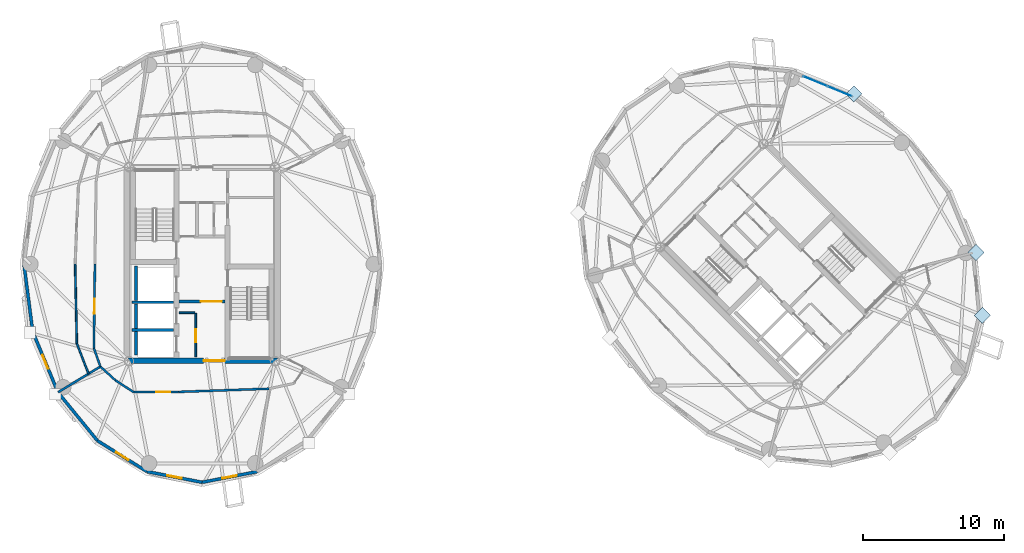
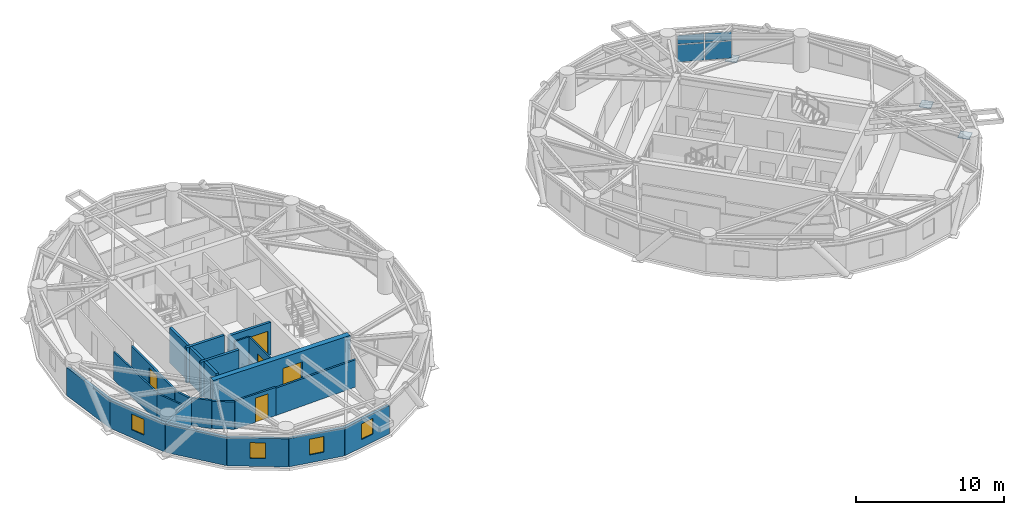
# One storey, part 8 of 16: 24 walls, 7 plates, 5 doors, 4 windows, 9 openings, 1 element without a shape of its own.
"""IFC4 building model written with IfcOpenShell, lengths in metres."""

import ifcopenshell
import ifcopenshell.guid

model = None  # the IFC model being written
_history = None  # IfcOwnerHistory: only IFC2X3 demands one
_inside = {}  # id of a spatial element -> (the spatial element, [elements in it])
_under = {}  # id of a project, library or spatial element -> (it, [spatial elements below it])
_declared = {}  # id of a project -> (the project, [libraries it declares])
_typed = {}  # id of a type object -> (the type object, [elements of that type])
_made_of = {}  # id of a material, layer set ... -> (it, [elements and type objects made of it])


def new_model(schema):
    """Start an empty IFC model of exactly this schema.

    Asked for "IFC4X3", IfcOpenShell would pick the latest addendum, in which some entities
    have other attributes; the version numbers below select the first issue.
    IFC2X3 requires an IfcOwnerHistory on every rooted entity: one is made here for all.
    """
    global model, _history
    if schema == "IFC4X3":
        model = ifcopenshell.file(schema_version=(4, 3, 0, 0))
    else:
        model = ifcopenshell.file(schema=schema)
    _inside.clear()
    _under.clear()
    _declared.clear()
    _typed.clear()
    _made_of.clear()
    _history = None
    if model.schema == "IFC2X3":
        org = make("IfcOrganization", Name="unknown")
        user = make(
            "IfcPersonAndOrganization",
            ThePerson=make("IfcPerson", FamilyName="unknown"),
            TheOrganization=org,
        )
        app = make(
            "IfcApplication",
            ApplicationDeveloper=org,
            Version="unknown",
            ApplicationFullName="unknown",
            ApplicationIdentifier="unknown",
        )
        _history = make(
            "IfcOwnerHistory",
            OwningUser=user,
            OwningApplication=app,
            ChangeAction="ADDED",
            CreationDate=0,
        )
    return model


def make(cls, **values):
    """One entity of the class cls with the attributes given. An attribute that is None is left unset."""
    return model.create_entity(
        cls, **{name: value for name, value in values.items() if value is not None}
    )


def rooted(cls, **values):
    """An entity with a GlobalId (a new one), such as an element, a storey or a relation."""
    return make(cls, GlobalId=ifcopenshell.guid.new(), OwnerHistory=_history, **values)


def si_unit(unit_type, name, prefix=None):
    """IfcSIUnit, for example si_unit("LENGTHUNIT", "METRE", prefix="MILLI")."""
    return make("IfcSIUnit", UnitType=unit_type, Prefix=prefix, Name=name)


def assignment(units):
    """IfcUnitAssignment: the units of a project."""
    return None if units is None else make("IfcUnitAssignment", Units=units)


def point(xyz):
    """IfcCartesianPoint."""
    return None if xyz is None else make("IfcCartesianPoint", Coordinates=xyz)


def direction(xyz):
    """IfcDirection."""
    return None if xyz is None else make("IfcDirection", DirectionRatios=xyz)


def frame(location, z_axis=None, x_axis=None):
    """IfcAxis2Placement3D, a coordinate frame: its origin and axes. An axis left out is left unset."""
    return make(
        "IfcAxis2Placement3D",
        Location=point(location),
        Axis=direction(z_axis),
        RefDirection=direction(x_axis),
    )


def frame_2d(location, x_axis=None):
    """IfcAxis2Placement2D, a coordinate frame in the plane: its origin and x axis."""
    return make(
        "IfcAxis2Placement2D", Location=point(location), RefDirection=direction(x_axis)
    )


def origin():
    """The frame at (0, 0, 0) with its axes left unset."""
    return frame((0.0, 0.0, 0.0))


def origin_2d():
    """The frame at (0, 0) in the plane with its x axis left unset."""
    return frame_2d((0.0, 0.0))


def place(relative_to, where):
    """IfcLocalPlacement: puts the frame where relative to a parent placement (None: the world)."""
    return make(
        "IfcLocalPlacement", PlacementRelTo=relative_to, RelativePlacement=where
    )


def context(
    kind, dimensions, precision=None, world=None, true_north=None, identifier=None
):
    """IfcGeometricRepresentationContext, for example the 3D "Model" context."""
    return make(
        "IfcGeometricRepresentationContext",
        ContextIdentifier=identifier,
        ContextType=kind,
        CoordinateSpaceDimension=dimensions,
        Precision=precision,
        WorldCoordinateSystem=world,
        TrueNorth=true_north,
    )


def subcontext(parent, identifier, kind, view, scale=None):
    """IfcGeometricRepresentationSubContext, for example "Body" below "Model"."""
    return make(
        "IfcGeometricRepresentationSubContext",
        ContextIdentifier=identifier,
        ContextType=kind,
        ParentContext=parent,
        TargetScale=scale,
        TargetView=view,
    )


def project(units=None, contexts=None):
    """IfcProject with its units and contexts."""
    return rooted(
        "IfcProject",
        Name="project",
        RepresentationContexts=contexts,
        UnitsInContext=assignment(units),
    )


def spatial(cls, under=None, at=None, **own):
    """A site, building, storey or space (cls), placed at a placement, below another one or the project."""
    s = rooted(cls, ObjectPlacement=at, **own)
    if under is not None:
        _under.setdefault(under.id(), (under, []))[1].append(s)
    return s


def profile(cls, at=None, kind="AREA", **sizes):
    """A parametric profile (cls). Its sizes go by their IFC names, for example OverallWidth=200.0."""
    return make(cls, ProfileType=kind, Position=at, **sizes)


def rectangle(**sizes):
    """IfcRectangleProfileDef."""
    return profile("IfcRectangleProfileDef", **sizes)


def extrude(swept, where, along, depth):
    """IfcExtrudedAreaSolid: the profile swept, set in the frame where, extruded along a direction by depth."""
    return make(
        "IfcExtrudedAreaSolid",
        SweptArea=swept,
        Position=where,
        ExtrudedDirection=direction(along),
        Depth=depth,
    )


def shape(context_of_items, identifier, shape_type, items):
    """IfcShapeRepresentation: the items that make up one representation, for example the "Body"."""
    return make(
        "IfcShapeRepresentation",
        ContextOfItems=context_of_items,
        RepresentationIdentifier=identifier,
        RepresentationType=shape_type,
        Items=items,
    )


def source(mapping_origin, context_of_items, identifier, shape_type, items):
    """IfcRepresentationMap: a shape defined once, which mapped items show again and again."""
    return make(
        "IfcRepresentationMap",
        MappingOrigin=mapping_origin,
        MappedRepresentation=shape(context_of_items, identifier, shape_type, items),
    )


def transform(
    local_origin,
    x_axis=None,
    y_axis=None,
    z_axis=None,
    scale=None,
    scale2=None,
    scale3=None,
    uniform=True,
):
    """IfcCartesianTransformationOperator3D, or its non-uniform kind. x_axis, y_axis, z_axis: its Axis1, 2, 3."""
    if uniform:
        return make(
            "IfcCartesianTransformationOperator3D",
            Axis1=direction(x_axis),
            Axis2=direction(y_axis),
            LocalOrigin=point(local_origin),
            Scale=scale,
            Axis3=direction(z_axis),
        )
    return make(
        "IfcCartesianTransformationOperator3DnonUniform",
        Axis1=direction(x_axis),
        Axis2=direction(y_axis),
        LocalOrigin=point(local_origin),
        Scale=scale,
        Axis3=direction(z_axis),
        Scale2=scale2,
        Scale3=scale3,
    )


def mapped(mapping_source, mapping_target):
    """IfcMappedItem: shows the shape of a source again, moved by a transform."""
    return make(
        "IfcMappedItem", MappingSource=mapping_source, MappingTarget=mapping_target
    )


def material(Name=None, Category=None):
    """IfcMaterial."""
    return make("IfcMaterial", Name=Name, Category=Category)


def layer(
    of_material, thickness, ventilated=None, Name=None, Category=None, Priority=None
):
    """IfcMaterialLayer: one layer of a wall or slab, of a material (None: an air gap)."""
    return make(
        "IfcMaterialLayer",
        Material=of_material,
        LayerThickness=thickness,
        IsVentilated=ventilated,
        Name=Name,
        Category=Category,
        Priority=Priority,
    )


def layer_set(layers, Name=None):
    """IfcMaterialLayerSet."""
    return make("IfcMaterialLayerSet", MaterialLayers=layers, LayerSetName=Name)


def made_of(thing, what):
    """Note that an element or type object is made of a material, layer set ...; save() writes the relation."""
    if what is not None:
        _made_of.setdefault(what.id(), (what, []))[1].append(thing)
    return thing


def type_object(cls, material=None, **own):
    """A type object (cls), such as IfcWallType, which elements share."""
    return made_of(rooted(cls, **own), material)


def element(
    cls,
    number,
    at=None,
    inside=None,
    cuts=None,
    type_object=None,
    material=None,
    context=None,
    identifier="Body",
    shape_type=None,
    held_by="IfcProductDefinitionShape",
    body=None,
    shapes=None,
    **own,
):
    """One element of the class cls, such as IfcWall. Its Tag is "e" and its number.

    at: its placement. inside: the storey or other place that contains it. cuts: it is an
    opening in that element (IfcRelVoidsElement). A single representation is given by context,
    identifier, shape_type and body (its items); several are given by shapes. held_by: the class
    of the entity that holds the representations. save() writes the other relations.
    """
    e = rooted(cls, Tag="e%d" % number, ObjectPlacement=at, **own)
    if body is not None:
        shapes = [shape(context, identifier, shape_type, body)]
    if shapes is not None:
        e.Representation = make(held_by, Representations=shapes)
    if inside is not None:
        _inside.setdefault(inside.id(), (inside, []))[1].append(e)
    if cuts is not None:
        rooted(
            "IfcRelVoidsElement", RelatingBuildingElement=cuts, RelatedOpeningElement=e
        )
    if type_object is not None:
        _typed.setdefault(type_object.id(), (type_object, []))[1].append(e)
    return made_of(e, material)


def fill(opening, filler):
    """IfcRelFillsElement: the door or window that sits in an opening."""
    return rooted(
        "IfcRelFillsElement",
        RelatingOpeningElement=opening,
        RelatedBuildingElement=filler,
    )


def aggregate(whole, parts):
    """IfcRelAggregates: a whole, such as a stair, and the parts it consists of."""
    return rooted("IfcRelAggregates", RelatingObject=whole, RelatedObjects=parts)


def save(model, path):
    """Write the relations noted so far, then the file.

    IfcRelAggregates (storeys below a building ...), IfcRelContainedInSpatialStructure (elements
    in a storey), IfcRelDefinesByType, IfcRelAssociatesMaterial and IfcRelDeclares: one each for
    every whole, place, type object, material and project.
    """
    for whole, parts in _under.values():
        aggregate(whole, parts)
    for where, things in _inside.values():
        rooted(
            "IfcRelContainedInSpatialStructure",
            RelatedElements=things,
            RelatingStructure=where,
        )
    for kind, things in _typed.values():
        rooted("IfcRelDefinesByType", RelatedObjects=things, RelatingType=kind)
    for what, things in _made_of.values():
        rooted("IfcRelAssociatesMaterial", RelatedObjects=things, RelatingMaterial=what)
    for by, libraries in _declared.values():
        rooted("IfcRelDeclares", RelatingContext=by, RelatedDefinitions=libraries)
    model.write(path)


model = new_model("IFC4")

# Units and contexts
model_context = context("Model", 3, precision=1e-05, world=origin(), true_north=direction((0.0, 1.0)))
body_context = subcontext(model_context, "Body", "Model", "MODEL_VIEW")
ifc_project = project(units=[si_unit("LENGTHUNIT", "METRE"), si_unit("AREAUNIT", "SQUARE_METRE"), si_unit("VOLUMEUNIT", "CUBIC_METRE"), si_unit("PLANEANGLEUNIT", "RADIAN"), si_unit("MASSUNIT", "GRAM", prefix="KILO")], contexts=[model_context])

# Site, building, storey
site_placement = place(None, origin())
site = spatial("IfcSite", under=ifc_project, at=site_placement, CompositionType="ELEMENT")
building_placement = place(site_placement, origin())
building = spatial("IfcBuilding", under=site, at=building_placement, Name="Cununo Teusaquillo Station Towers", CompositionType="ELEMENT")
storey_placement = place(building_placement, frame((0.0, 0.0, 219.93994140625)))
storey = spatial("IfcBuildingStorey", under=building, at=storey_placement, Name="L70", CompositionType="ELEMENT", Elevation=219.93994140625)

# Plates
ifc_material_1 = material(Name="Steel ASTM A572 Grade 50", Category="steel")
ifc_layer_1 = layer(ifc_material_1, 0.044921875)
ifc_layer_set_1 = layer_set([ifc_layer_1], Name="Steel ASTM A572 Grade 50")
plate_type_1 = type_object("IfcPlateType", Name="PLT-NODE-DN2", PredefinedType="USERDEFINED", material=ifc_layer_set_1)
shared_shape_1 = source(origin(), body_context, "Body", "SweptSolid", [
    extrude(rectangle(XDim=0.820068359375, YDim=0.820068359375, at=origin_2d()), origin(), (0.0, 0.0, 1.0), 0.044921875),
])
for number, where, z_axis, x_axis, name in (
    (1, (62.713134765625, 36.570068359375, -0.162353515625), (0.0, 0.0, 1.0), (0.707106781187, 0.707106781187, 0.0), "L70 Tower B Diagrid Node Assembly C00"),
    (2, (71.81640625, 20.864990234375, -0.162353515625), (0.0, 0.0, 1.0), (0.707106781187, 0.707106781187, 0.0), "L70 Tower B Diagrid Node Assembly C16"),
    (3, (71.372314453125, 25.329833984375, -0.162353515625), (0.0, 0.0, 1.0), (0.707106781187, 0.707106781187, 0.0), "L70 Tower B Diagrid Node Assembly C18"),
):
    element("IfcPlate", number, at=place(storey_placement, frame(where, z_axis=z_axis, x_axis=x_axis)), inside=storey, type_object=plate_type_1, Name=name, ObjectType="GUSSET PLATE", PredefinedType="USERDEFINED", context=body_context, shape_type="MappedRepresentation", body=[
        mapped(shared_shape_1, transform((0.0, 0.0, 0.0), x_axis=(1.0, 0.0, 0.0), y_axis=(0.0, 1.0, 0.0), z_axis=(0.0, 0.0, 1.0), scale=1.0)),
    ])

# Curtain wall, plates
ifc_material_2 = material(Name="Ceramic-fritted dark low-E double glazing", Category="glass")
ifc_layer_2 = layer(ifc_material_2, 0.179931640625)
ifc_layer_set_2 = layer_set([ifc_layer_2], Name="Ceramic-fritted dark low-E double glazing")
curtain_wall_type = type_object("IfcCurtainWallType", Name="CW-SYS-07", PredefinedType="USERDEFINED", material=ifc_layer_set_2)
curtain_wall_placement = place(storey_placement, origin())
curtain_wall = element("IfcCurtainWall", 4, at=curtain_wall_placement, inside=storey, type_object=curtain_wall_type, Name="L70 Tower B Facade Curtain Wall C01", ObjectType="FRITTED GLAZING", PredefinedType="USERDEFINED")
ifc_material_3 = material(Name="Ceramic-fritted dark low-E double glazing", Category="glass")
ifc_layer_3 = layer(ifc_material_3, 0.028076171875)
ifc_layer_set_3 = layer_set([ifc_layer_3], Name="Ceramic-fritted dark low-E double glazing")
plate_type_2 = type_object("IfcPlateType", Name="CWP-FRIT-28", PredefinedType="CURTAIN_PANEL", material=ifc_layer_set_3)
shared_shape_2 = source(origin(), body_context, "Body", "SweptSolid", [
    extrude(rectangle(XDim=1.81298828125, YDim=0.028076171875, at=origin_2d()), origin(), (0.0, 0.0, 1.0), 1.41162109375),
])
plate_1_placement = place(storey_placement, frame((59.979248046875, 37.46044921875, 0.06494140625), z_axis=(0.0, 0.0, 1.0), x_axis=(0.924447019904, -0.381310513086, 0.0)))
plate_1 = element("IfcPlate", 5, at=plate_1_placement, type_object=plate_type_2, Name="CW-07 panel 1.1", PredefinedType="CURTAIN_PANEL", context=body_context, shape_type="MappedRepresentation", body=[
    mapped(shared_shape_2, transform((0.0, 0.0, 0.0), x_axis=(1.0, 0.0, 0.0), y_axis=(0.0, 1.0, 0.0), z_axis=(0.0, 0.0, 1.0), scale=1.0)),
])
plate_2_placement = place(storey_placement, frame((61.71533203125, 36.744384765625, 0.06494140625), z_axis=(0.0, 0.0, 1.0), x_axis=(0.924447019904, -0.381310513086, 0.0)))
plate_2 = element("IfcPlate", 6, at=plate_2_placement, type_object=plate_type_2, Name="CW-07 panel 2.1", PredefinedType="CURTAIN_PANEL", context=body_context, shape_type="MappedRepresentation", body=[
    mapped(shared_shape_2, transform((0.0, 0.0, 0.0), x_axis=(1.0, 0.0, 0.0), y_axis=(0.0, 1.0, 0.0), z_axis=(0.0, 0.0, 1.0), scale=1.0)),
])
shared_shape_3 = source(origin(), body_context, "Body", "SweptSolid", [
    extrude(rectangle(XDim=1.81298828125, YDim=0.028076171875, at=origin_2d()), origin(), (0.0, 0.0, 1.0), 0.715576171875),
])
plate_3_placement = place(storey_placement, frame((59.979248046875, 37.46044921875, 1.54150390625), z_axis=(0.0, 0.0, 1.0), x_axis=(0.924447019904, -0.381310513086, 0.0)))
plate_3 = element("IfcPlate", 7, at=plate_3_placement, type_object=plate_type_2, Name="CW-07 panel 1.2", PredefinedType="CURTAIN_PANEL", context=body_context, shape_type="MappedRepresentation", body=[
    mapped(shared_shape_3, transform((0.0, 0.0, 0.0), x_axis=(1.0, 0.0, 0.0), y_axis=(0.0, 1.0, 0.0), z_axis=(0.0, 0.0, 1.0), scale=1.0)),
])
plate_4_placement = place(storey_placement, frame((61.71533203125, 36.744384765625, 1.54150390625), z_axis=(0.0, 0.0, 1.0), x_axis=(0.924447019904, -0.381310513086, 0.0)))
plate_4 = element("IfcPlate", 8, at=plate_4_placement, type_object=plate_type_2, Name="CW-07 panel 2.2", PredefinedType="CURTAIN_PANEL", context=body_context, shape_type="MappedRepresentation", body=[
    mapped(shared_shape_3, transform((0.0, 0.0, 0.0), x_axis=(1.0, 0.0, 0.0), y_axis=(0.0, 1.0, 0.0), z_axis=(0.0, 0.0, 1.0), scale=1.0)),
])
aggregate(curtain_wall, [plate_1, plate_3, plate_2, plate_4])

# Walls
ifc_material_4 = material(Name="Concrete C50/60", Category="concrete")
ifc_layer_4 = layer(ifc_material_4, 0.199951171875)
ifc_layer_set_4 = layer_set([ifc_layer_4], Name="Concrete C50/60")
wall_type_1 = type_object("IfcWallType", Name="WL-CORE-200", PredefinedType="SHEAR", material=ifc_layer_set_4)
wall_1_placement = place(storey_placement, frame((11.52001953125, 21.800048828125, 0.0), z_axis=(0.0, 0.0, 1.0), x_axis=(1.0, 0.0, 0.0)))
element("IfcWall", 9, at=wall_1_placement, inside=storey, type_object=wall_type_1, Name="L70 Tower A Firefighting Lift Shaft South Shear Wall", PredefinedType="SHEAR", context=body_context, shape_type="SweptSolid", body=[
    extrude(rectangle(XDim=2.969970703125, YDim=0.199951171875, at=frame_2d((1.48486328125, 0.0))), origin(), (0.0, 0.0, 1.0), 2.91015625),
])
wall_2_placement = place(storey_placement, frame((11.820068359375, 21.919921875, 0.0), z_axis=(0.0, 0.0, 1.0), x_axis=(0.0, 1.0, 0.0)))
element("IfcWall", 10, at=wall_2_placement, inside=storey, type_object=wall_type_1, Name="L70 Tower A Firefighting Lift Shaft Rear Shear Wall", PredefinedType="SHEAR", context=body_context, shape_type="SweptSolid", body=[
    extrude(rectangle(XDim=2.440185546875, YDim=0.199951171875, at=frame_2d((1.22021484375, 0.0))), origin(), (0.0, 0.0, 1.0), 2.91015625),
])
wall_3_placement = place(storey_placement, frame((11.52001953125, 19.824951171875, 0.0), z_axis=(0.0, 0.0, 1.0), x_axis=(1.0, 0.0, 0.0)))
element("IfcWall", 11, at=wall_3_placement, inside=storey, type_object=wall_type_1, Name="L70 Tower A High-Rise Lift Hoistway Divider Shear Wall", PredefinedType="SHEAR", context=body_context, shape_type="SweptSolid", body=[
    extrude(rectangle(XDim=2.969970703125, YDim=0.199951171875, at=frame_2d((1.48486328125, 0.0))), origin(), (0.0, 0.0, 1.0), 2.91015625),
])
wall_4_placement = place(storey_placement, frame((11.820068359375, 19.945068359375, 0.0), z_axis=(0.0, 0.0, 1.0), x_axis=(0.0, 1.0, 0.0)))
element("IfcWall", 12, at=wall_4_placement, inside=storey, type_object=wall_type_1, Name="L70 Tower A High-Rise Lift 2 Shaft Rear Shear Wall", PredefinedType="SHEAR", context=body_context, shape_type="SweptSolid", body=[
    extrude(rectangle(XDim=1.73486328125, YDim=0.199951171875, at=frame_2d((0.867431640625, 0.0))), origin(), (0.0, 0.0, 1.0), 2.91015625),
])
wall_5_placement = place(storey_placement, frame((11.820068359375, 18.070068359375, 0.0), z_axis=(0.0, 0.0, 1.0), x_axis=(0.0, 1.0, 0.0)))
element("IfcWall", 13, at=wall_5_placement, inside=storey, type_object=wall_type_1, Name="L70 Tower A High-Rise Lift 1 Shaft Rear Shear Wall", PredefinedType="SHEAR", context=body_context, shape_type="SweptSolid", body=[
    extrude(rectangle(XDim=1.635009765625, YDim=0.199951171875, at=frame_2d((0.8173828125, 0.0))), origin(), (0.0, 0.0, 1.0), 2.91015625),
])

# Wall, opening, door
ifc_material_5 = material(Name="Concrete C50/60", Category="concrete")
ifc_layer_5 = layer(ifc_material_5, 0.39990234375)
ifc_layer_set_5 = layer_set([ifc_layer_5], Name="Concrete C50/60")
wall_type_2 = type_object("IfcWallType", Name="WL-CORE-400", PredefinedType="SHEAR", material=ifc_layer_set_5)
wall_6_placement = place(storey_placement, frame((11.14990234375, 17.64990234375, 0.0), z_axis=(0.0, 0.0, 1.0), x_axis=(1.0, 0.0, 0.0)))
wall_6 = element("IfcWall", 14, at=wall_6_placement, inside=storey, type_object=wall_type_2, Name="L70 Tower A Core Shear Wall S", PredefinedType="SHEAR", context=body_context, shape_type="SweptSolid", body=[
    extrude(rectangle(XDim=10.7001953125, YDim=0.39990234375, at=frame_2d((5.35009765625, 0.0))), origin(), (0.0, 0.0, 1.0), 2.91015625),
])
shared_shape_4 = source(origin(), body_context, "Body", "SweptSolid", [
    extrude(rectangle(XDim=1.5, YDim=2.02001953125, at=frame_2d((0.75, 1.010009765625))), frame((0.0, 0.2099609375, 0.0), z_axis=(0.0, -1.0, 0.0), x_axis=(1.0, 0.0, 0.0)), (0.0, 0.0, 1.0), 0.419921875),
])
opening_1_placement = place(wall_6_placement, frame((5.449951171875, 0.0, 0.0)))
opening_1 = element("IfcOpeningElement", 15, at=opening_1_placement, cuts=wall_6, Name="Opening D-LB1", PredefinedType="OPENING", context=body_context, shape_type="MappedRepresentation", body=[
    mapped(shared_shape_4, transform((0.0, 0.0, 0.0), x_axis=(1.0, 0.0, 0.0), y_axis=(0.0, 1.0, 0.0), z_axis=(0.0, 0.0, 1.0), scale=1.0)),
])
ifc_material_6 = material(Name="Galvanised fire-rated hollow steel door assembly", Category="steel")
door_type_1 = type_object("IfcDoorType", Name="DR-LOBBY-1500", OperationType="DOUBLE_DOOR_SINGLE_SWING", PredefinedType="DOOR", material=ifc_material_6)
shared_shape_5 = source(origin(), body_context, "Body", "SweptSolid", [
    extrude(rectangle(XDim=1.5, YDim=2.02001953125, at=frame_2d((0.75, 1.010009765625))), frame((0.0, 0.02490234375, 0.0), z_axis=(0.0, -1.0, 0.0), x_axis=(1.0, 0.0, 0.0)), (0.0, 0.0, 1.0), 0.050048828125),
])
door_1_placement = place(opening_1_placement, origin())
door_1 = element("IfcDoor", 16, at=door_1_placement, inside=storey, type_object=door_type_1, Name="L70 Tower A South Core Lift Lobby Door", OperationType="DOUBLE_DOOR_SINGLE_SWING", OverallHeight=2.02001953125, OverallWidth=1.5, PredefinedType="DOOR", context=body_context, shape_type="MappedRepresentation", body=[
    mapped(shared_shape_5, transform((0.0, 0.0, 0.0), x_axis=(1.0, 0.0, 0.0), y_axis=(0.0, 1.0, 0.0), z_axis=(0.0, 0.0, 1.0), scale=1.0)),
])
fill(opening_1, door_1)

# Wall
ifc_material_7 = material(Name="Precast concrete C40/50", Category="concrete")
ifc_layer_6 = layer(ifc_material_7, 0.219970703125)
ifc_layer_set_6 = layer_set([ifc_layer_6], Name="Precast concrete C40/50")
wall_type_3 = type_object("IfcWallType", Name="WL-EXT-220", PredefinedType="SOLIDWALL", material=ifc_layer_set_6)
wall_7_placement = place(storey_placement, frame((4.48828125, 19.719482421875, 0.0), z_axis=(0.0, 0.0, 1.0), x_axis=(-0.128241318541, 0.991742993027, 0.0)))
element("IfcWall", 17, at=wall_7_placement, inside=storey, type_object=wall_type_3, Name="L70 Tower A Exterior Facade Wall C10", PredefinedType="SOLIDWALL", context=body_context, shape_type="SweptSolid", body=[
    extrude(rectangle(XDim=4.8203125, YDim=0.219970703125, at=frame_2d((2.41015625, 0.0))), origin(), (0.0, 0.0, 1.0), 2.322021484375),
])

# Wall, opening, window
wall_8_placement = place(storey_placement, frame((6.281982421875, 15.406982421875, 0.0), z_axis=(0.0, 0.0, 1.0), x_axis=(-0.384036305194, 0.923317993052, 0.0)))
wall_8 = element("IfcWall", 18, at=wall_8_placement, inside=storey, type_object=wall_type_3, Name="L70 Tower A Exterior Facade Wall C11", PredefinedType="SOLIDWALL", context=body_context, shape_type="SweptSolid", body=[
    extrude(rectangle(XDim=4.670654296875, YDim=0.219970703125, at=frame_2d((2.33544921875, 0.0))), origin(), (0.0, 0.0, 1.0), 2.322021484375),
])
shared_shape_6 = source(origin(), body_context, "Body", "SweptSolid", [
    extrude(rectangle(XDim=1.050048828125, YDim=1.300048828125, at=frame_2d((0.52490234375, 0.64990234375))), frame((0.0, 0.119873046875, 0.0), z_axis=(0.0, -1.0, 0.0), x_axis=(1.0, 0.0, 0.0)), (0.0, 0.0, 1.0), 0.239990234375),
])
opening_2_placement = place(wall_8_placement, frame((1.81005859375, 0.0, 0.64990234375)))
opening_2 = element("IfcOpeningElement", 19, at=opening_2_placement, cuts=wall_8, Name="Opening WN-04", PredefinedType="OPENING", context=body_context, shape_type="MappedRepresentation", body=[
    mapped(shared_shape_6, transform((0.0, 0.0, 0.0), x_axis=(1.0, 0.0, 0.0), y_axis=(0.0, 1.0, 0.0), z_axis=(0.0, 0.0, 1.0), scale=1.0)),
])
ifc_material_8 = material(Name="Operable acoustic tinted low-E double glazing", Category="glass")
window_type = type_object("IfcWindowType", Name="WIN-BAL-1050", PartitioningType="SINGLE_PANEL", PredefinedType="WINDOW", material=ifc_material_8)
shared_shape_7 = source(origin(), body_context, "Body", "SweptSolid", [
    extrude(rectangle(XDim=1.050048828125, YDim=1.300048828125, at=frame_2d((0.52490234375, 0.64990234375))), frame((0.0, 0.030029296875, 0.0), z_axis=(0.0, -1.0, 0.0), x_axis=(1.0, 0.0, 0.0)), (0.0, 0.0, 1.0), 0.06005859375),
])
window_1_placement = place(opening_2_placement, origin())
window_1 = element("IfcWindow", 20, at=window_1_placement, inside=storey, type_object=window_type, Name="L70 Tower A Facade Window C11", OverallHeight=1.300048828125, OverallWidth=1.050048828125, PartitioningType="SINGLE_PANEL", PredefinedType="WINDOW", context=body_context, shape_type="MappedRepresentation", body=[
    mapped(shared_shape_7, transform((0.0, 0.0, 0.0), x_axis=(1.0, 0.0, 0.0), y_axis=(0.0, 1.0, 0.0), z_axis=(0.0, 0.0, 1.0), scale=1.0)),
])
fill(opening_2, window_1)

# Wall
wall_9_placement = place(storey_placement, frame((9.076416015625, 11.984619140625, 0.0), z_axis=(0.0, 0.0, 1.0), x_axis=(-0.632467166636, 0.774587169483, 0.0)))
element("IfcWall", 21, at=wall_9_placement, inside=storey, type_object=wall_type_3, Name="L70 Tower A Exterior Facade Wall C12", PredefinedType="SOLIDWALL", context=body_context, shape_type="SweptSolid", body=[
    extrude(rectangle(XDim=4.418212890625, YDim=0.219970703125, at=frame_2d((2.208984375, 0.0))), origin(), (0.0, 0.0, 1.0), 2.322021484375),
])

# Wall, opening, window
wall_10_placement = place(storey_placement, frame((12.59716796875, 9.787109375, 0.0), z_axis=(0.0, 0.0, 1.0), x_axis=(-0.848318713376, 0.529485939886, 0.0)))
wall_10 = element("IfcWall", 22, at=wall_10_placement, inside=storey, type_object=wall_type_3, Name="L70 Tower A Exterior Facade Wall C13", PredefinedType="SOLIDWALL", context=body_context, shape_type="SweptSolid", body=[
    extrude(rectangle(XDim=4.150390625, YDim=0.219970703125, at=frame_2d((2.0751953125, 0.0))), origin(), (0.0, 0.0, 1.0), 2.322021484375),
])
opening_3_placement = place(wall_10_placement, frame((1.550048828125, 0.0, 0.64990234375)))
opening_3 = element("IfcOpeningElement", 23, at=opening_3_placement, cuts=wall_10, Name="Opening WN-04", PredefinedType="OPENING", context=body_context, shape_type="MappedRepresentation", body=[
    mapped(shared_shape_6, transform((0.0, 0.0, 0.0), x_axis=(1.0, 0.0, 0.0), y_axis=(0.0, 1.0, 0.0), z_axis=(0.0, 0.0, 1.0), scale=1.0)),
])
window_2_placement = place(opening_3_placement, origin())
window_2 = element("IfcWindow", 24, at=window_2_placement, inside=storey, type_object=window_type, Name="L70 Tower A Facade Window C13", OverallHeight=1.300048828125, OverallWidth=1.050048828125, PartitioningType="SINGLE_PANEL", PredefinedType="WINDOW", context=body_context, shape_type="MappedRepresentation", body=[
    mapped(shared_shape_7, transform((0.0, 0.0, 0.0), x_axis=(1.0, 0.0, 0.0), y_axis=(0.0, 1.0, 0.0), z_axis=(0.0, 0.0, 1.0), scale=1.0)),
])
fill(opening_3, window_2)

wall_11_placement = place(storey_placement, frame((16.5, 9.030029296875, 0.0), z_axis=(0.0, 0.0, 1.0), x_axis=(-0.981700307484, 0.190432419211, 0.0)))
wall_11 = element("IfcWall", 25, at=wall_11_placement, inside=storey, type_object=wall_type_3, Name="L70 Tower A Exterior Facade Wall C14", PredefinedType="SOLIDWALL", context=body_context, shape_type="SweptSolid", body=[
    extrude(rectangle(XDim=3.9755859375, YDim=0.219970703125, at=frame_2d((1.98779296875, 0.0))), origin(), (0.0, 0.0, 1.0), 2.322021484375),
])
opening_4_placement = place(wall_11_placement, frame((1.462890625, 0.0, 0.64990234375)))
opening_4 = element("IfcOpeningElement", 26, at=opening_4_placement, cuts=wall_11, Name="Opening WN-04", PredefinedType="OPENING", context=body_context, shape_type="MappedRepresentation", body=[
    mapped(shared_shape_6, transform((0.0, 0.0, 0.0), x_axis=(1.0, 0.0, 0.0), y_axis=(0.0, 1.0, 0.0), z_axis=(0.0, 0.0, 1.0), scale=1.0)),
])
window_3_placement = place(opening_4_placement, origin())
window_3 = element("IfcWindow", 27, at=window_3_placement, inside=storey, type_object=window_type, Name="L70 Tower A Facade Window C14", OverallHeight=1.300048828125, OverallWidth=1.050048828125, PartitioningType="SINGLE_PANEL", PredefinedType="WINDOW", context=body_context, shape_type="MappedRepresentation", body=[
    mapped(shared_shape_7, transform((0.0, 0.0, 0.0), x_axis=(1.0, 0.0, 0.0), y_axis=(0.0, 1.0, 0.0), z_axis=(0.0, 0.0, 1.0), scale=1.0)),
])
fill(opening_4, window_3)

wall_12_placement = place(storey_placement, frame((20.40283203125, 9.787109375, 0.0), z_axis=(0.0, 0.0, 1.0), x_axis=(-0.981700307484, -0.190432419211, 0.0)))
wall_12 = element("IfcWall", 28, at=wall_12_placement, inside=storey, type_object=wall_type_3, Name="L70 Tower A Exterior Facade Wall C15", PredefinedType="SOLIDWALL", context=body_context, shape_type="SweptSolid", body=[
    extrude(rectangle(XDim=3.9755859375, YDim=0.219970703125, at=frame_2d((1.98779296875, 0.0))), origin(), (0.0, 0.0, 1.0), 2.322021484375),
])
opening_5_placement = place(wall_12_placement, frame((1.462890625, 0.0, 0.64990234375)))
opening_5 = element("IfcOpeningElement", 29, at=opening_5_placement, cuts=wall_12, Name="Opening WN-04", PredefinedType="OPENING", context=body_context, shape_type="MappedRepresentation", body=[
    mapped(shared_shape_6, transform((0.0, 0.0, 0.0), x_axis=(1.0, 0.0, 0.0), y_axis=(0.0, 1.0, 0.0), z_axis=(0.0, 0.0, 1.0), scale=1.0)),
])
window_4_placement = place(opening_5_placement, origin())
window_4 = element("IfcWindow", 30, at=window_4_placement, inside=storey, type_object=window_type, Name="L70 Tower A Facade Window C15", OverallHeight=1.300048828125, OverallWidth=1.050048828125, PartitioningType="SINGLE_PANEL", PredefinedType="WINDOW", context=body_context, shape_type="MappedRepresentation", body=[
    mapped(shared_shape_7, transform((0.0, 0.0, 0.0), x_axis=(1.0, 0.0, 0.0), y_axis=(0.0, 1.0, 0.0), z_axis=(0.0, 0.0, 1.0), scale=1.0)),
])
fill(opening_5, window_4)

# Wall, opening, door
ifc_material_9 = material(Name="Fire-rated gypsum plasterboard partition assembly", Category="gypsum")
ifc_layer_7 = layer(ifc_material_9, 0.125)
ifc_layer_set_7 = layer_set([ifc_layer_7], Name="Fire-rated gypsum plasterboard partition assembly")
wall_type_4 = type_object("IfcWallType", Name="WL-PART-125", PredefinedType="PARTITIONING", material=ifc_layer_set_7)
wall_13_placement = place(storey_placement, frame((16.050048828125, 17.919921875, 0.0), z_axis=(0.0, 0.0, 1.0), x_axis=(0.0, 1.0, 0.0)))
wall_13 = element("IfcWall", 31, at=wall_13_placement, inside=storey, type_object=wall_type_4, Name="L70 Tower A South-West Tall Store East Wall", PredefinedType="PARTITIONING", context=body_context, shape_type="SweptSolid", body=[
    extrude(rectangle(XDim=3.080078125, YDim=0.125, at=frame_2d((1.5400390625, 0.0))), origin(), (0.0, 0.0, 1.0), 2.68505859375),
])
shared_shape_8 = source(origin(), body_context, "Body", "SweptSolid", [
    extrude(rectangle(XDim=0.89990234375, YDim=2.0048828125, at=frame_2d((0.449951171875, 1.00244140625))), frame((0.0, 0.072509765625, 0.0), z_axis=(0.0, -1.0, 0.0), x_axis=(1.0, 0.0, 0.0)), (0.0, 0.0, 1.0), 0.14501953125),
])
opening_6_placement = place(wall_13_placement, frame((1.050048828125, 0.0, 0.0)))
opening_6 = element("IfcOpeningElement", 32, at=opening_6_placement, cuts=wall_13, Name="Opening D-SR1", PredefinedType="OPENING", context=body_context, shape_type="MappedRepresentation", body=[
    mapped(shared_shape_8, transform((0.0, 0.0, 0.0), x_axis=(1.0, 0.0, 0.0), y_axis=(0.0, 1.0, 0.0), z_axis=(0.0, 0.0, 1.0), scale=1.0)),
])
ifc_material_10 = material(Name="Galvanised fire-rated hollow steel door assembly", Category="steel")
door_type_2 = type_object("IfcDoorType", Name="DR-STORE-900", OperationType="NOTDEFINED", PredefinedType="DOOR", material=ifc_material_10)
shared_shape_9 = source(origin(), body_context, "Body", "SweptSolid", [
    extrude(rectangle(XDim=0.89990234375, YDim=2.0048828125, at=frame_2d((0.449951171875, 1.00244140625))), frame((0.0, 0.02490234375, 0.0), z_axis=(0.0, -1.0, 0.0), x_axis=(1.0, 0.0, 0.0)), (0.0, 0.0, 1.0), 0.050048828125),
])
door_2_placement = place(opening_6_placement, origin())
door_2 = element("IfcDoor", 33, at=door_2_placement, inside=storey, type_object=door_type_2, Name="L70 Tower A South Cleaners Store Door", OperationType="SINGLE_SWING_RIGHT", OverallHeight=2.0048828125, OverallWidth=0.89990234375, PredefinedType="DOOR", context=body_context, shape_type="MappedRepresentation", body=[
    mapped(shared_shape_9, transform((0.0, 0.0, 0.0), x_axis=(1.0, 0.0, 0.0), y_axis=(0.0, 1.0, 0.0), z_axis=(0.0, 0.0, 1.0), scale=1.0)),
])
fill(opening_6, door_2)

# Walls
wall_14_placement = place(storey_placement, frame((14.8798828125, 21.050048828125, 0.0), z_axis=(0.0, 0.0, 1.0), x_axis=(1.0, 0.0, 0.0)))
element("IfcWall", 34, at=wall_14_placement, inside=storey, type_object=wall_type_4, Name="L70 Tower A South-West Tall Store North Wall", PredefinedType="PARTITIONING", context=body_context, shape_type="SweptSolid", body=[
    extrude(rectangle(XDim=1.10009765625, YDim=0.125, at=frame_2d((0.550048828125, 0.0))), origin(), (0.0, 0.0, 1.0), 2.68505859375),
])
wall_15_placement = place(storey_placement, frame((7.497314453125, 24.5, 0.0), z_axis=(0.0, 0.0, 1.0), x_axis=(0.021927972859, -0.999759553096, 0.0)))
element("IfcWall", 35, at=wall_15_placement, inside=storey, type_object=wall_type_4, Name="L70 Tower A Cordillera Pinnacle Club Concentric Partition Wall C10", PredefinedType="PARTITIONING", context=body_context, shape_type="SweptSolid", body=[
    extrude(rectangle(XDim=5.6337890625, YDim=0.125, at=frame_2d((2.81689453125, 0.0))), origin(), (0.0, 0.0, 1.0), 2.322021484375),
])
wall_16_placement = place(storey_placement, frame((7.620849609375, 18.86767578125, 0.0), z_axis=(0.0, 0.0, 1.0), x_axis=(0.361712646649, -0.93228963378, 0.0)))
element("IfcWall", 36, at=wall_16_placement, inside=storey, type_object=wall_type_4, Name="L70 Tower A Cordillera Pinnacle Club Concentric Partition Wall C11", PredefinedType="PARTITIONING", context=body_context, shape_type="SweptSolid", body=[
    extrude(rectangle(XDim=2.296875, YDim=0.125, at=frame_2d((1.1484375, 0.0))), origin(), (0.0, 0.0, 1.0), 2.255126953125),
])

# Wall, opening, door
ifc_material_11 = material(Name="Fire-rated gypsum plasterboard partition assembly", Category="gypsum")
ifc_layer_8 = layer(ifc_material_11, 0.14990234375)
ifc_layer_set_8 = layer_set([ifc_layer_8], Name="Fire-rated gypsum plasterboard partition assembly")
wall_type_5 = type_object("IfcWallType", Name="WL-PART-150", PredefinedType="PARTITIONING", material=ifc_layer_set_8)
wall_17_placement = place(storey_placement, frame((8.89990234375, 24.5, 0.0), z_axis=(0.0, 0.0, 1.0), x_axis=(-0.011416369353, -0.999934831132, 0.0)))
wall_17 = element("IfcWall", 37, at=wall_17_placement, inside=storey, type_object=wall_type_5, Name="L70 Tower A Corridor Ring Wall C10", PredefinedType="PARTITIONING", context=body_context, shape_type="SweptSolid", body=[
    extrude(rectangle(XDim=5.966552734375, YDim=0.14990234375, at=frame_2d((2.9833984375, 0.0))), origin(), (0.0, 0.0, 1.0), 2.322021484375),
])
shared_shape_10 = source(origin(), body_context, "Body", "SweptSolid", [
    extrude(rectangle(XDim=1.050048828125, YDim=2.014892578125, at=frame_2d((0.52490234375, 1.00732421875))), frame((0.0, 0.0849609375, 0.0), z_axis=(0.0, -1.0, 0.0), x_axis=(1.0, 0.0, 0.0)), (0.0, 0.0, 1.0), 0.169921875),
])
opening_7_placement = place(wall_17_placement, frame((2.458251953125, 0.0, 0.0)))
opening_7 = element("IfcOpeningElement", 38, at=opening_7_placement, cuts=wall_17, Name="Opening D-SU1", PredefinedType="OPENING", context=body_context, shape_type="MappedRepresentation", body=[
    mapped(shared_shape_10, transform((0.0, 0.0, 0.0), x_axis=(1.0, 0.0, 0.0), y_axis=(0.0, 1.0, 0.0), z_axis=(0.0, 0.0, 1.0), scale=1.0)),
])
ifc_material_12 = material(Name="Acoustic solid-core hardwood leaf assembly", Category="wood")
door_type_3 = type_object("IfcDoorType", Name="DR-SUITE-1050", OperationType="NOTDEFINED", PredefinedType="DOOR", material=ifc_material_12)
shared_shape_11 = source(origin(), body_context, "Body", "SweptSolid", [
    extrude(rectangle(XDim=1.050048828125, YDim=2.014892578125, at=frame_2d((0.52490234375, 1.00732421875))), frame((0.0, 0.02490234375, 0.0), z_axis=(0.0, -1.0, 0.0), x_axis=(1.0, 0.0, 0.0)), (0.0, 0.0, 1.0), 0.050048828125),
])
door_3_placement = place(opening_7_placement, origin())
door_3 = element("IfcDoor", 39, at=door_3_placement, inside=storey, type_object=door_type_3, Name="L70 Tower A Cordillera Pinnacle Club Entrance Door", OperationType="SINGLE_SWING_LEFT", OverallHeight=2.014892578125, OverallWidth=1.050048828125, PredefinedType="DOOR", context=body_context, shape_type="MappedRepresentation", body=[
    mapped(shared_shape_11, transform((0.0, 0.0, 0.0), x_axis=(1.0, 0.0, 0.0), y_axis=(0.0, 1.0, 0.0), z_axis=(0.0, 0.0, 1.0), scale=1.0)),
])
fill(opening_7, door_3)

# Walls
wall_18_placement = place(storey_placement, frame((8.831787109375, 18.533935546875, 0.0), z_axis=(0.0, 0.0, 1.0), x_axis=(0.332031819657, -0.943268186008, 0.0)))
element("IfcWall", 40, at=wall_18_placement, inside=storey, type_object=wall_type_5, Name="L70 Tower A Corridor Ring Wall C11", PredefinedType="PARTITIONING", context=body_context, shape_type="SweptSolid", body=[
    extrude(rectangle(XDim=1.377197265625, YDim=0.14990234375, at=frame_2d((0.6884765625, 0.0))), origin(), (0.0, 0.0, 1.0), 2.255126953125),
])
wall_19_placement = place(storey_placement, frame((9.2890625, 17.23486328125, 0.0), z_axis=(0.0, 0.0, 1.0), x_axis=(0.739015164946, -0.673688790155, 0.0)))
element("IfcWall", 41, at=wall_19_placement, inside=storey, type_object=wall_type_5, Name="L70 Tower A Corridor Ring Wall C12", PredefinedType="PARTITIONING", context=body_context, shape_type="SweptSolid", body=[
    extrude(rectangle(XDim=1.4462890625, YDim=0.14990234375, at=frame_2d((0.72314453125, 0.0))), origin(), (0.0, 0.0, 1.0), 2.322021484375),
])
wall_20_placement = place(storey_placement, frame((10.35791015625, 16.260498046875, 0.0), z_axis=(0.0, 0.0, 1.0), x_axis=(0.838265397059, -0.545262435983, 0.0)))
element("IfcWall", 42, at=wall_20_placement, inside=storey, type_object=wall_type_5, Name="L70 Tower A Corridor Ring Wall C13", PredefinedType="PARTITIONING", context=body_context, shape_type="SweptSolid", body=[
    extrude(rectangle(XDim=1.533935546875, YDim=0.14990234375, at=frame_2d((0.76708984375, 0.0))), origin(), (0.0, 0.0, 1.0), 2.255126953125),
])

# Wall, opening, door
wall_21_placement = place(storey_placement, frame((11.643798828125, 15.424072265625, 0.0), z_axis=(0.0, 0.0, 1.0), x_axis=(0.999986552511, 0.005186019339, 0.0)))
wall_21 = element("IfcWall", 43, at=wall_21_placement, inside=storey, type_object=wall_type_5, Name="L70 Tower A Corridor Ring Wall C14", PredefinedType="PARTITIONING", context=body_context, shape_type="SweptSolid", body=[
    extrude(rectangle(XDim=3.201171875, YDim=0.14990234375, at=frame_2d((1.6005859375, 0.0))), origin(), (0.0, 0.0, 1.0), 2.322021484375),
])
shared_shape_12 = source(origin(), body_context, "Body", "SweptSolid", [
    extrude(rectangle(XDim=1.0, YDim=2.014892578125, at=frame_2d((0.5, 1.00732421875))), frame((0.0, 0.0849609375, 0.0), z_axis=(0.0, -1.0, 0.0), x_axis=(1.0, 0.0, 0.0)), (0.0, 0.0, 1.0), 0.169921875),
])
opening_8_placement = place(wall_21_placement, frame((1.591064453125, 0.0, 0.0)))
opening_8 = element("IfcOpeningElement", 44, at=opening_8_placement, cuts=wall_21, Name="Opening D-AC1", PredefinedType="OPENING", context=body_context, shape_type="MappedRepresentation", body=[
    mapped(shared_shape_12, transform((0.0, 0.0, 0.0), x_axis=(1.0, 0.0, 0.0), y_axis=(0.0, 1.0, 0.0), z_axis=(0.0, 0.0, 1.0), scale=1.0)),
])
ifc_material_13 = material(Name="Acoustic solid-core hardwood leaf assembly", Category="wood")
door_type_4 = type_object("IfcDoorType", Name="DR-ACC-1000", OperationType="NOTDEFINED", PredefinedType="DOOR", material=ifc_material_13)
shared_shape_13 = source(origin(), body_context, "Body", "SweptSolid", [
    extrude(rectangle(XDim=1.0, YDim=2.014892578125, at=frame_2d((0.5, 1.00732421875))), frame((0.0, 0.02490234375, 0.0), z_axis=(0.0, -1.0, 0.0), x_axis=(1.0, 0.0, 0.0)), (0.0, 0.0, 1.0), 0.050048828125),
])
door_4_placement = place(opening_8_placement, origin())
door_4 = element("IfcDoor", 45, at=door_4_placement, inside=storey, type_object=door_type_4, Name="L70 Tower A Public Accessible Restroom WC Entrance Door", OperationType="SINGLE_SWING_LEFT", OverallHeight=2.014892578125, OverallWidth=1.0, PredefinedType="DOOR", context=body_context, shape_type="MappedRepresentation", body=[
    mapped(shared_shape_13, transform((0.0, 0.0, 0.0), x_axis=(1.0, 0.0, 0.0), y_axis=(0.0, 1.0, 0.0), z_axis=(0.0, 0.0, 1.0), scale=1.0)),
])
fill(opening_8, door_4)

# Walls
wall_22_placement = place(storey_placement, frame((14.844970703125, 15.440673828125, 0.0), z_axis=(0.0, 0.0, 1.0), x_axis=(0.99938794868, 0.034981824334, 0.0)))
element("IfcWall", 46, at=wall_22_placement, inside=storey, type_object=wall_type_5, Name="L70 Tower A Corridor Ring Wall C15", PredefinedType="PARTITIONING", context=body_context, shape_type="SweptSolid", body=[
    extrude(rectangle(XDim=6.392822265625, YDim=0.14990234375, at=frame_2d((3.1962890625, 0.0))), origin(), (0.0, 0.0, 1.0), 2.255126953125),
])
ifc_material_14 = material(Name="Fire-rated gypsum plasterboard partition assembly", Category="gypsum")
ifc_layer_9 = layer(ifc_material_14, 0.159912109375)
ifc_layer_set_9 = layer_set([ifc_layer_9], Name="Fire-rated gypsum plasterboard partition assembly")
wall_type_6 = type_object("IfcWallType", Name="WL-PART-160", PredefinedType="PARTITIONING", material=ifc_layer_set_9)
wall_23_placement = place(storey_placement, frame((9.2890625, 17.23486328125, 0.0), z_axis=(0.0, 0.0, 1.0), x_axis=(-0.854741081983, -0.519054604806, 0.0)))
element("IfcWall", 47, at=wall_23_placement, inside=storey, type_object=wall_type_6, Name="L70 Tower A Radial Suite Partition R04", PredefinedType="PARTITIONING", context=body_context, shape_type="SweptSolid", body=[
    extrude(rectangle(XDim=3.4990234375, YDim=0.159912109375, at=frame_2d((1.74951171875, 0.0))), origin(), (0.0, 0.0, 1.0), 2.322021484375),
])

# Wall, opening, door
ifc_material_15 = material(Name="Fire-rated gypsum plasterboard partition assembly", Category="gypsum")
ifc_layer_10 = layer(ifc_material_15, 0.199951171875)
ifc_layer_set_10 = layer_set([ifc_layer_10], Name="Fire-rated gypsum plasterboard partition assembly")
wall_type_7 = type_object("IfcWallType", Name="WL-PART-200", PredefinedType="PARTITIONING", material=ifc_layer_set_10)
wall_24_placement = place(storey_placement, frame((14.860107421875, 21.85009765625, 0.0), z_axis=(0.0, 0.0, 1.0), x_axis=(1.0, 0.0, 0.0)))
wall_24 = element("IfcWall", 48, at=wall_24_placement, inside=storey, type_object=wall_type_7, Name="L70 Tower A Firefighting Lift Lobby South Fire Wall", PredefinedType="PARTITIONING", context=body_context, shape_type="SweptSolid", body=[
    extrude(rectangle(XDim=3.27978515625, YDim=0.199951171875, at=frame_2d((1.639892578125, 0.0))), origin(), (0.0, 0.0, 1.0), 2.68505859375),
])
shared_shape_14 = source(origin(), body_context, "Body", "SweptSolid", [
    extrude(rectangle(XDim=1.5, YDim=2.02001953125, at=frame_2d((0.75, 1.010009765625))), frame((0.0, 0.10986328125, 0.0), z_axis=(0.0, -1.0, 0.0), x_axis=(1.0, 0.0, 0.0)), (0.0, 0.0, 1.0), 0.219970703125),
])
opening_9_placement = place(wall_24_placement, frame((1.550048828125, 0.0, 0.0)))
opening_9 = element("IfcOpeningElement", 49, at=opening_9_placement, cuts=wall_24, Name="Opening D-LB1", PredefinedType="OPENING", context=body_context, shape_type="MappedRepresentation", body=[
    mapped(shared_shape_14, transform((0.0, 0.0, 0.0), x_axis=(1.0, 0.0, 0.0), y_axis=(0.0, 1.0, 0.0), z_axis=(0.0, 0.0, 1.0), scale=1.0)),
])
door_5_placement = place(opening_9_placement, origin())
door_5 = element("IfcDoor", 50, at=door_5_placement, inside=storey, type_object=door_type_1, Name="L70 Tower A Firefighting Lift Lobby South Fire Door", OperationType="DOUBLE_DOOR_SINGLE_SWING", OverallHeight=2.02001953125, OverallWidth=1.5, PredefinedType="DOOR", context=body_context, shape_type="MappedRepresentation", body=[
    mapped(shared_shape_5, transform((0.0, 0.0, 0.0), x_axis=(1.0, 0.0, 0.0), y_axis=(0.0, 1.0, 0.0), z_axis=(0.0, 0.0, 1.0), scale=1.0)),
])
fill(opening_9, door_5)

save(model, "model.ifc")
